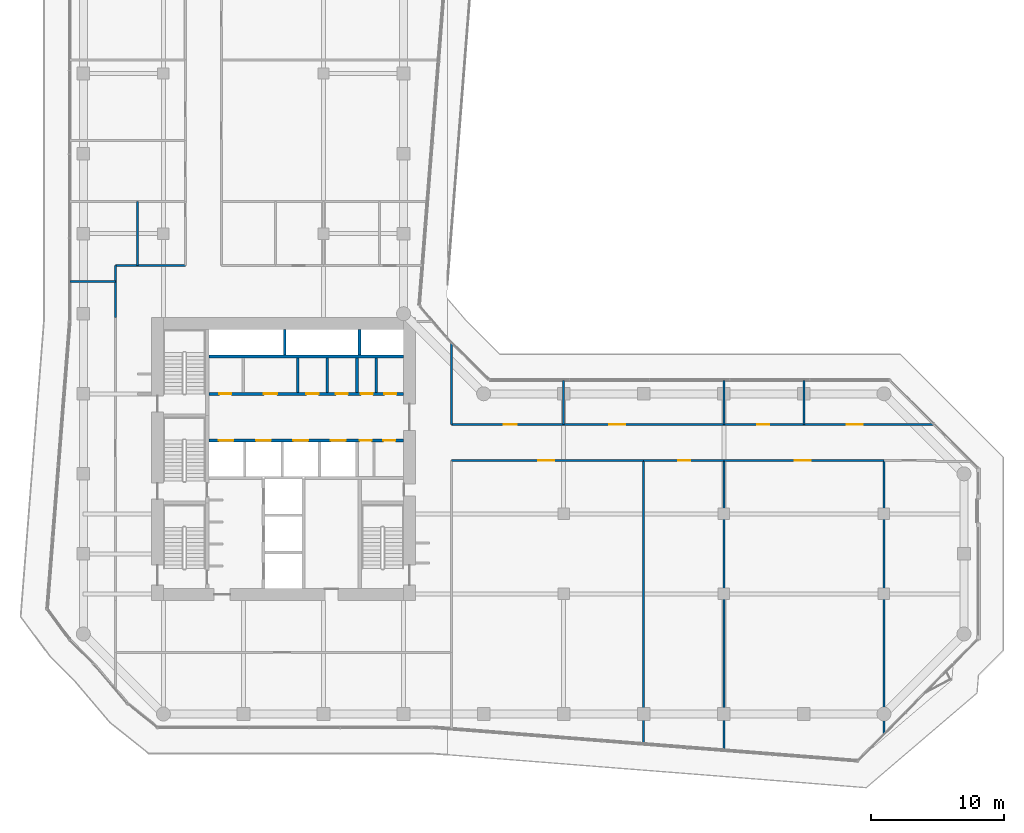
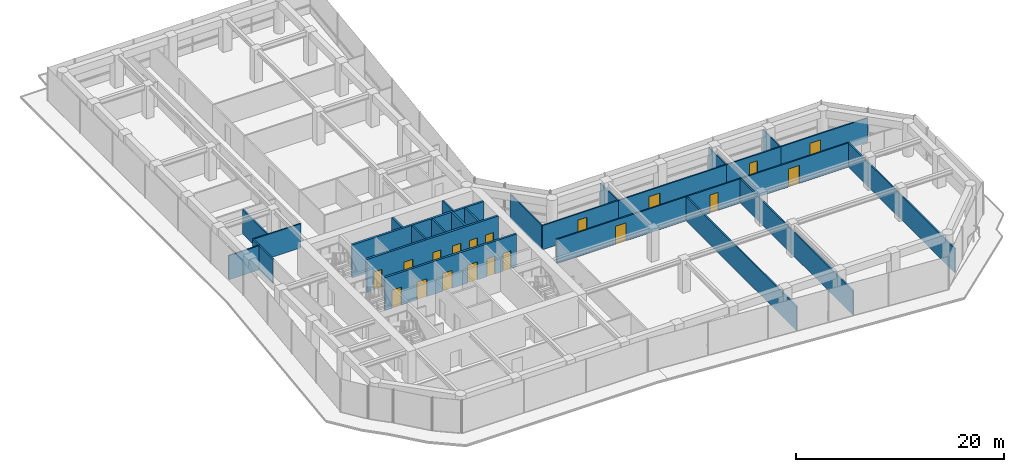
# One storey, part 24 of 29: 27 walls, 19 doors, 19 openings.
"""IFC4 building model written with IfcOpenShell, lengths in metres."""

from ifc_helpers import new_model, si_unit, direction, frame, frame_2d, origin, place, context, subcontext, project, spatial, rectangle, extrude, material, layer, layer_set, type_object, element, fill, save


model = new_model("IFC4")

# Units and contexts
model_context = context("Model", 3, precision=1e-05, world=origin(), true_north=direction((0.0, 1.0)))
body_context = subcontext(model_context, "Body", "Model", "MODEL_VIEW")
ifc_project = project(units=[si_unit("LENGTHUNIT", "METRE"), si_unit("AREAUNIT", "SQUARE_METRE"), si_unit("VOLUMEUNIT", "CUBIC_METRE"), si_unit("PLANEANGLEUNIT", "RADIAN"), si_unit("MASSUNIT", "GRAM", prefix="KILO")], contexts=[model_context])

# Site, building, storey
site_placement = place(None, origin())
site = spatial("IfcSite", under=ifc_project, at=site_placement, CompositionType="ELEMENT")
building_placement = place(site_placement, origin())
building = spatial("IfcBuilding", under=site, at=building_placement, Name="Welwitschia Terrace Campus", CompositionType="ELEMENT")
storey_placement = place(building_placement, frame((0.0, 0.0, 33.199951171875)))
storey = spatial("IfcBuildingStorey", under=building, at=storey_placement, Name="L07", CompositionType="ELEMENT", Elevation=33.199951171875)

# Walls
ifc_material_1 = material(Name="Concrete C32/40", Category="concrete")
ifc_layer_1 = layer(ifc_material_1, 0.175048828125)
ifc_layer_set_1 = layer_set([ifc_layer_1], Name="Concrete C32/40")
wall_type_1 = type_object("IfcWallType", Name="Core partition 175 Concrete C32/40", PredefinedType="PARTITIONING", material=ifc_layer_set_1)
for number, where, z_axis, x_axis, name in (
    (1, (16.074951171875, 20.10009765625, 0.0), (0.0, 0.0, 1.0), (0.0, 1.0, 0.0), "Core partition"),
    (2, (18.27490234375, 20.10009765625, 0.0), (0.0, 0.0, 1.0), (0.0, 1.0, 0.0), "Core partition"),
    (3, (21.9599609375, 20.10009765625, 0.0), (0.0, 0.0, 1.0), (0.0, 1.0, 0.0), "Core partition"),
):
    element("IfcWall", number, at=place(storey_placement, frame(where, z_axis=z_axis, x_axis=x_axis)), inside=storey, type_object=wall_type_1, Name=name, PredefinedType="PARTITIONING", context=body_context, shape_type="SweptSolid", body=[
        extrude(rectangle(XDim=2.599853515625, YDim=0.175048828125, at=frame_2d((1.2998046875, 0.0))), origin(), (0.0, 0.0, 1.0), 3.85009765625),
    ])

# Wall, openings, doors
ifc_material_2 = material(Name="Concrete C32/40", Category="concrete")
ifc_layer_2 = layer(ifc_material_2, 0.22509765625)
ifc_layer_set_2 = layer_set([ifc_layer_2], Name="Concrete C32/40")
wall_type_2 = type_object("IfcWallType", Name="Core partition 225 Concrete C32/40", PredefinedType="PARTITIONING", material=ifc_layer_set_2)
wall_1_placement = place(storey_placement, frame((9.39990234375, 16.5, 0.0), z_axis=(0.0, 0.0, 1.0), x_axis=(1.0, 0.0, 0.0)))
wall_1 = element("IfcWall", 4, at=wall_1_placement, inside=storey, type_object=wall_type_2, Name="Shaft wall", PredefinedType="PARTITIONING", context=body_context, shape_type="SweptSolid", body=[
    extrude(rectangle(XDim=14.60009765625, YDim=0.22509765625, at=frame_2d((7.300048828125, 0.0))), origin(), (0.0, 0.0, 1.0), 3.85009765625),
])
opening_1_placement = place(wall_1_placement, frame((0.75, 0.0, 0.0)))
opening_1 = element("IfcOpeningElement", 5, at=opening_1_placement, cuts=wall_1, Name="Opening LD", PredefinedType="OPENING", context=body_context, shape_type="SweptSolid", body=[
    extrude(rectangle(XDim=1.10009765625, YDim=2.10009765625, at=frame_2d((0.550048828125, 1.050048828125))), frame((0.0, 0.12255859375, 0.0), z_axis=(0.0, -1.0, 0.0), x_axis=(1.0, 0.0, 0.0)), (0.0, 0.0, 1.0), 0.2451171875),
])
opening_2_placement = place(wall_1_placement, frame((3.550048828125, 0.0, 0.0)))
opening_2 = element("IfcOpeningElement", 6, at=opening_2_placement, cuts=wall_1, Name="Opening LD", PredefinedType="OPENING", context=body_context, shape_type="SweptSolid", body=[
    extrude(rectangle(XDim=1.10009765625, YDim=2.10009765625, at=frame_2d((0.550048828125, 1.050048828125))), frame((0.0, 0.12255859375, 0.0), z_axis=(0.0, -1.0, 0.0), x_axis=(1.0, 0.0, 0.0)), (0.0, 0.0, 1.0), 0.2451171875),
])
opening_3_placement = place(wall_1_placement, frame((6.35009765625, 0.0, 0.0)))
opening_3 = element("IfcOpeningElement", 7, at=opening_3_placement, cuts=wall_1, Name="Opening LD", PredefinedType="OPENING", context=body_context, shape_type="SweptSolid", body=[
    extrude(rectangle(XDim=1.10009765625, YDim=2.10009765625, at=frame_2d((0.550048828125, 1.050048828125))), frame((0.0, 0.12255859375, 0.0), z_axis=(0.0, -1.0, 0.0), x_axis=(1.0, 0.0, 0.0)), (0.0, 0.0, 1.0), 0.2451171875),
])
opening_4_placement = place(wall_1_placement, frame((9.14990234375, 0.0, 0.0)))
opening_4 = element("IfcOpeningElement", 8, at=opening_4_placement, cuts=wall_1, Name="Opening LD", PredefinedType="OPENING", context=body_context, shape_type="SweptSolid", body=[
    extrude(rectangle(XDim=1.10009765625, YDim=2.10009765625, at=frame_2d((0.550048828125, 1.050048828125))), frame((0.0, 0.12255859375, 0.0), z_axis=(0.0, -1.0, 0.0), x_axis=(1.0, 0.0, 0.0)), (0.0, 0.0, 1.0), 0.2451171875),
])
opening_5_placement = place(wall_1_placement, frame((11.3076171875, 0.0, 0.0)))
opening_5 = element("IfcOpeningElement", 9, at=opening_5_placement, cuts=wall_1, Name="Opening DR09", PredefinedType="OPENING", context=body_context, shape_type="SweptSolid", body=[
    extrude(rectangle(XDim=0.89990234375, YDim=2.10009765625, at=frame_2d((0.449951171875, 1.050048828125))), frame((0.0, 0.12255859375, 0.0), z_axis=(0.0, -1.0, 0.0), x_axis=(1.0, 0.0, 0.0)), (0.0, 0.0, 1.0), 0.2451171875),
])
opening_6_placement = place(wall_1_placement, frame((13.08251953125, 0.0, 0.0)))
opening_6 = element("IfcOpeningElement", 10, at=opening_6_placement, cuts=wall_1, Name="Opening DR09", PredefinedType="OPENING", context=body_context, shape_type="SweptSolid", body=[
    extrude(rectangle(XDim=0.89990234375, YDim=2.10009765625, at=frame_2d((0.449951171875, 1.050048828125))), frame((0.0, 0.12255859375, 0.0), z_axis=(0.0, -1.0, 0.0), x_axis=(1.0, 0.0, 0.0)), (0.0, 0.0, 1.0), 0.2451171875),
])
ifc_material_3 = material(Name="Steel S275", Category="steel")
door_type_1 = type_object("IfcDoorType", Name="Core door DR09", OperationType="SINGLE_SWING_LEFT", PredefinedType="DOOR", material=ifc_material_3)
door_1_placement = place(opening_5_placement, origin())
door_1 = element("IfcDoor", 11, at=door_1_placement, inside=storey, type_object=door_type_1, Name="Door EL1-D", OperationType="SINGLE_SWING_RIGHT", OverallHeight=2.10009765625, OverallWidth=0.89990234375, PredefinedType="DOOR", context=body_context, shape_type="SweptSolid", body=[
    extrude(rectangle(XDim=0.89990234375, YDim=2.10009765625, at=frame_2d((0.449951171875, 1.050048828125))), frame((0.0, 0.02490234375, 0.0), z_axis=(0.0, -1.0, 0.0), x_axis=(1.0, 0.0, 0.0)), (0.0, 0.0, 1.0), 0.050048828125),
])
fill(opening_5, door_1)
door_2_placement = place(opening_6_placement, origin())
door_2 = element("IfcDoor", 12, at=door_2_placement, inside=storey, type_object=door_type_1, Name="Door EL2-D", OperationType="SINGLE_SWING_RIGHT", OverallHeight=2.10009765625, OverallWidth=0.89990234375, PredefinedType="DOOR", context=body_context, shape_type="SweptSolid", body=[
    extrude(rectangle(XDim=0.89990234375, YDim=2.10009765625, at=frame_2d((0.449951171875, 1.050048828125))), frame((0.0, 0.02490234375, 0.0), z_axis=(0.0, -1.0, 0.0), x_axis=(1.0, 0.0, 0.0)), (0.0, 0.0, 1.0), 0.050048828125),
])
fill(opening_6, door_2)
ifc_material_4 = material(Name="Stainless steel 304", Category="steel")
door_type_2 = type_object("IfcDoorType", Name="Lift landing door", OperationType="DOUBLE_DOOR_SLIDING", PredefinedType="DOOR", material=ifc_material_4)
door_3_placement = place(opening_1_placement, origin())
door_3 = element("IfcDoor", 13, at=door_3_placement, inside=storey, type_object=door_type_2, Name="Landing door LR1", OperationType="DOUBLE_DOOR_SLIDING", OverallHeight=2.10009765625, OverallWidth=1.10009765625, PredefinedType="DOOR", context=body_context, shape_type="SweptSolid", body=[
    extrude(rectangle(XDim=1.10009765625, YDim=2.10009765625, at=frame_2d((0.550048828125, 1.050048828125))), frame((0.0, 0.02490234375, 0.0), z_axis=(0.0, -1.0, 0.0), x_axis=(1.0, 0.0, 0.0)), (0.0, 0.0, 1.0), 0.050048828125),
])
fill(opening_1, door_3)
door_4_placement = place(opening_2_placement, origin())
door_4 = element("IfcDoor", 14, at=door_4_placement, inside=storey, type_object=door_type_2, Name="Landing door LR2", OperationType="DOUBLE_DOOR_SLIDING", OverallHeight=2.10009765625, OverallWidth=1.10009765625, PredefinedType="DOOR", context=body_context, shape_type="SweptSolid", body=[
    extrude(rectangle(XDim=1.10009765625, YDim=2.10009765625, at=frame_2d((0.550048828125, 1.050048828125))), frame((0.0, 0.02490234375, 0.0), z_axis=(0.0, -1.0, 0.0), x_axis=(1.0, 0.0, 0.0)), (0.0, 0.0, 1.0), 0.050048828125),
])
fill(opening_2, door_4)
door_5_placement = place(opening_3_placement, origin())
door_5 = element("IfcDoor", 15, at=door_5_placement, inside=storey, type_object=door_type_2, Name="Landing door LR3", OperationType="DOUBLE_DOOR_SLIDING", OverallHeight=2.10009765625, OverallWidth=1.10009765625, PredefinedType="DOOR", context=body_context, shape_type="SweptSolid", body=[
    extrude(rectangle(XDim=1.10009765625, YDim=2.10009765625, at=frame_2d((0.550048828125, 1.050048828125))), frame((0.0, 0.02490234375, 0.0), z_axis=(0.0, -1.0, 0.0), x_axis=(1.0, 0.0, 0.0)), (0.0, 0.0, 1.0), 0.050048828125),
])
fill(opening_3, door_5)
door_6_placement = place(opening_4_placement, origin())
door_6 = element("IfcDoor", 16, at=door_6_placement, inside=storey, type_object=door_type_2, Name="Landing door LR4", OperationType="DOUBLE_DOOR_SLIDING", OverallHeight=2.10009765625, OverallWidth=1.10009765625, PredefinedType="DOOR", context=body_context, shape_type="SweptSolid", body=[
    extrude(rectangle(XDim=1.10009765625, YDim=2.10009765625, at=frame_2d((0.550048828125, 1.050048828125))), frame((0.0, 0.02490234375, 0.0), z_axis=(0.0, -1.0, 0.0), x_axis=(1.0, 0.0, 0.0)), (0.0, 0.0, 1.0), 0.050048828125),
])
fill(opening_4, door_6)

wall_2_placement = place(storey_placement, frame((24.0, 20.0, 0.0), z_axis=(0.0, 0.0, 1.0), x_axis=(-1.0, 0.0, 0.0)))
wall_2 = element("IfcWall", 17, at=wall_2_placement, inside=storey, type_object=wall_type_2, Name="Core partition", PredefinedType="PARTITIONING", context=body_context, shape_type="SweptSolid", body=[
    extrude(rectangle(XDim=14.60009765625, YDim=0.22509765625, at=frame_2d((7.300048828125, 0.0))), origin(), (0.0, 0.0, 1.0), 3.85009765625),
])
opening_7_placement = place(wall_2_placement, frame((12.89990234375, 0.0, 0.0)))
opening_7 = element("IfcOpeningElement", 18, at=opening_7_placement, cuts=wall_2, Name="Opening DR09", PredefinedType="OPENING", context=body_context, shape_type="SweptSolid", body=[
    extrude(rectangle(XDim=0.89990234375, YDim=2.10009765625, at=frame_2d((0.449951171875, 1.050048828125))), frame((0.0, 0.12255859375, 0.0), z_axis=(0.0, -1.0, 0.0), x_axis=(1.0, 0.0, 0.0)), (0.0, 0.0, 1.0), 0.2451171875),
])
opening_8_placement = place(wall_2_placement, frame((9.47509765625, 0.0, 0.0)))
opening_8 = element("IfcOpeningElement", 19, at=opening_8_placement, cuts=wall_2, Name="Opening DR10", PredefinedType="OPENING", context=body_context, shape_type="SweptSolid", body=[
    extrude(rectangle(XDim=1.0, YDim=2.10009765625, at=frame_2d((0.5, 1.050048828125))), frame((0.0, 0.12255859375, 0.0), z_axis=(0.0, -1.0, 0.0), x_axis=(1.0, 0.0, 0.0)), (0.0, 0.0, 1.0), 0.2451171875),
])
opening_9_placement = place(wall_2_placement, frame((6.375, 0.0, 0.0)))
opening_9 = element("IfcOpeningElement", 20, at=opening_9_placement, cuts=wall_2, Name="Opening DR09", PredefinedType="OPENING", context=body_context, shape_type="SweptSolid", body=[
    extrude(rectangle(XDim=0.89990234375, YDim=2.10009765625, at=frame_2d((0.449951171875, 1.050048828125))), frame((0.0, 0.12255859375, 0.0), z_axis=(0.0, -1.0, 0.0), x_axis=(1.0, 0.0, 0.0)), (0.0, 0.0, 1.0), 0.2451171875),
])
opening_10_placement = place(wall_2_placement, frame((4.175048828125, 0.0, 0.0)))
opening_10 = element("IfcOpeningElement", 21, at=opening_10_placement, cuts=wall_2, Name="Opening DR09", PredefinedType="OPENING", context=body_context, shape_type="SweptSolid", body=[
    extrude(rectangle(XDim=0.89990234375, YDim=2.10009765625, at=frame_2d((0.449951171875, 1.050048828125))), frame((0.0, 0.12255859375, 0.0), z_axis=(0.0, -1.0, 0.0), x_axis=(1.0, 0.0, 0.0)), (0.0, 0.0, 1.0), 0.2451171875),
])
opening_11_placement = place(wall_2_placement, frame((2.3076171875, 0.0, 0.0)))
opening_11 = element("IfcOpeningElement", 22, at=opening_11_placement, cuts=wall_2, Name="Opening DR09", PredefinedType="OPENING", context=body_context, shape_type="SweptSolid", body=[
    extrude(rectangle(XDim=0.89990234375, YDim=2.10009765625, at=frame_2d((0.449951171875, 1.050048828125))), frame((0.0, 0.12255859375, 0.0), z_axis=(0.0, -1.0, 0.0), x_axis=(1.0, 0.0, 0.0)), (0.0, 0.0, 1.0), 0.2451171875),
])
opening_12_placement = place(wall_2_placement, frame((0.532470703125, 0.0, 0.0)))
opening_12 = element("IfcOpeningElement", 23, at=opening_12_placement, cuts=wall_2, Name="Opening DR09", PredefinedType="OPENING", context=body_context, shape_type="SweptSolid", body=[
    extrude(rectangle(XDim=0.89990234375, YDim=2.10009765625, at=frame_2d((0.449951171875, 1.050048828125))), frame((0.0, 0.12255859375, 0.0), z_axis=(0.0, -1.0, 0.0), x_axis=(1.0, 0.0, 0.0)), (0.0, 0.0, 1.0), 0.2451171875),
])
door_7_placement = place(opening_7_placement, origin())
door_7 = element("IfcDoor", 24, at=door_7_placement, inside=storey, type_object=door_type_1, Name="Door BAYH1-D", OperationType="SINGLE_SWING_RIGHT", OverallHeight=2.10009765625, OverallWidth=0.89990234375, PredefinedType="DOOR", context=body_context, shape_type="SweptSolid", body=[
    extrude(rectangle(XDim=0.89990234375, YDim=2.10009765625, at=frame_2d((0.449951171875, 1.050048828125))), frame((0.0, 0.02490234375, 0.0), z_axis=(0.0, -1.0, 0.0), x_axis=(1.0, 0.0, 0.0)), (0.0, 0.0, 1.0), 0.050048828125),
])
fill(opening_7, door_7)
door_8_placement = place(opening_9_placement, origin())
door_8 = element("IfcDoor", 25, at=door_8_placement, inside=storey, type_object=door_type_1, Name="Door BAYH3-D", OperationType="SINGLE_SWING_LEFT", OverallHeight=2.10009765625, OverallWidth=0.89990234375, PredefinedType="DOOR", context=body_context, shape_type="SweptSolid", body=[
    extrude(rectangle(XDim=0.89990234375, YDim=2.10009765625, at=frame_2d((0.449951171875, 1.050048828125))), frame((0.0, 0.02490234375, 0.0), z_axis=(0.0, -1.0, 0.0), x_axis=(1.0, 0.0, 0.0)), (0.0, 0.0, 1.0), 0.050048828125),
])
fill(opening_9, door_8)
door_9_placement = place(opening_10_placement, origin())
door_9 = element("IfcDoor", 26, at=door_9_placement, inside=storey, type_object=door_type_1, Name="Door BAYH4-D", OperationType="SINGLE_SWING_LEFT", OverallHeight=2.10009765625, OverallWidth=0.89990234375, PredefinedType="DOOR", context=body_context, shape_type="SweptSolid", body=[
    extrude(rectangle(XDim=0.89990234375, YDim=2.10009765625, at=frame_2d((0.449951171875, 1.050048828125))), frame((0.0, 0.02490234375, 0.0), z_axis=(0.0, -1.0, 0.0), x_axis=(1.0, 0.0, 0.0)), (0.0, 0.0, 1.0), 0.050048828125),
])
fill(opening_10, door_9)
door_10_placement = place(opening_11_placement, origin())
door_10 = element("IfcDoor", 27, at=door_10_placement, inside=storey, type_object=door_type_1, Name="Door EH1-D", OperationType="SINGLE_SWING_LEFT", OverallHeight=2.10009765625, OverallWidth=0.89990234375, PredefinedType="DOOR", context=body_context, shape_type="SweptSolid", body=[
    extrude(rectangle(XDim=0.89990234375, YDim=2.10009765625, at=frame_2d((0.449951171875, 1.050048828125))), frame((0.0, 0.02490234375, 0.0), z_axis=(0.0, -1.0, 0.0), x_axis=(1.0, 0.0, 0.0)), (0.0, 0.0, 1.0), 0.050048828125),
])
fill(opening_11, door_10)
door_11_placement = place(opening_12_placement, origin())
door_11 = element("IfcDoor", 28, at=door_11_placement, inside=storey, type_object=door_type_1, Name="Door EH2-D", OperationType="SINGLE_SWING_LEFT", OverallHeight=2.10009765625, OverallWidth=0.89990234375, PredefinedType="DOOR", context=body_context, shape_type="SweptSolid", body=[
    extrude(rectangle(XDim=0.89990234375, YDim=2.10009765625, at=frame_2d((0.449951171875, 1.050048828125))), frame((0.0, 0.02490234375, 0.0), z_axis=(0.0, -1.0, 0.0), x_axis=(1.0, 0.0, 0.0)), (0.0, 0.0, 1.0), 0.050048828125),
])
fill(opening_12, door_11)
ifc_material_5 = material(Name="Steel S275", Category="steel")
door_type_3 = type_object("IfcDoorType", Name="Core door DR10", OperationType="SINGLE_SWING_LEFT", PredefinedType="DOOR", material=ifc_material_5)
door_12_placement = place(opening_8_placement, origin())
door_12 = element("IfcDoor", 29, at=door_12_placement, inside=storey, type_object=door_type_3, Name="Door BAYH2-D", OperationType="SINGLE_SWING_RIGHT", OverallHeight=2.10009765625, OverallWidth=1.0, PredefinedType="DOOR", context=body_context, shape_type="SweptSolid", body=[
    extrude(rectangle(XDim=1.0, YDim=2.10009765625, at=frame_2d((0.5, 1.050048828125))), frame((0.0, 0.02490234375, 0.0), z_axis=(0.0, -1.0, 0.0), x_axis=(1.0, 0.0, 0.0)), (0.0, 0.0, 1.0), 0.050048828125),
])
fill(opening_8, door_12)

# Walls
wall_3_placement = place(storey_placement, frame((9.39990234375, 22.800048828125, 0.0), z_axis=(0.0, 0.0, 1.0), x_axis=(1.0, 0.0, 0.0)))
element("IfcWall", 30, at=wall_3_placement, inside=storey, type_object=wall_type_2, Name="Shaft wall", PredefinedType="PARTITIONING", context=body_context, shape_type="SweptSolid", body=[
    extrude(rectangle(XDim=14.60009765625, YDim=0.22509765625, at=frame_2d((7.300048828125, 0.0))), origin(), (0.0, 0.0, 1.0), 3.85009765625),
])
wall_4_placement = place(storey_placement, frame((20.5, 20.10009765625, 0.0), z_axis=(0.0, 0.0, 1.0), x_axis=(0.0, 1.0, 0.0)))
element("IfcWall", 31, at=wall_4_placement, inside=storey, type_object=wall_type_2, Name="Core partition", PredefinedType="PARTITIONING", context=body_context, shape_type="SweptSolid", body=[
    extrude(rectangle(XDim=2.599853515625, YDim=0.22509765625, at=frame_2d((1.2998046875, 0.0))), origin(), (0.0, 0.0, 1.0), 3.85009765625),
])
ifc_material_6 = material(Name="Concrete C50/60", Category="concrete")
ifc_layer_3 = layer(ifc_material_6, 0.199951171875)
ifc_layer_set_3 = layer_set([ifc_layer_3], Name="Concrete C50/60")
wall_type_3 = type_object("IfcWallType", Name="Core wall 200 Concrete C50/60", PredefinedType="SHEAR", material=ifc_layer_set_3)
for number, where, z_axis, x_axis, name in (
    (32, (15.10009765625, 22.89990234375, 0.0), (0.0, 0.0, 1.0), (0.0, 1.0, 0.0), "Core wall"),
    (33, (20.699951171875, 22.89990234375, 0.0), (0.0, 0.0, 1.0), (0.0, 1.0, 0.0), "Core wall"),
):
    element("IfcWall", number, at=place(storey_placement, frame(where, z_axis=z_axis, x_axis=x_axis)), inside=storey, type_object=wall_type_3, Name=name, PredefinedType="SHEAR", context=body_context, shape_type="SweptSolid", body=[
        extrude(rectangle(XDim=1.900146484375, YDim=0.199951171875, at=frame_2d((0.9501953125, 0.0))), origin(), (0.0, 0.0, 1.0), 3.85009765625),
    ])
ifc_material_7 = material(Name="Gypsum board on steel studs", Category="steel")
ifc_layer_4 = layer(ifc_material_7, 0.14990234375)
ifc_layer_set_4 = layer_set([ifc_layer_4], Name="Gypsum board on steel studs")
wall_type_4 = type_object("IfcWallType", Name="Corridor partition 150 EI 30", PredefinedType="PARTITIONING", material=ifc_layer_set_4)
wall_5_placement = place(storey_placement, frame((-1.010009765625, 28.39990234375, 0.0), z_axis=(0.0, 0.0, 1.0), x_axis=(1.0, 0.0, 0.0)))
element("IfcWall", 34, at=wall_5_placement, inside=storey, type_object=wall_type_4, Name="Partition", PredefinedType="PARTITIONING", context=body_context, shape_type="SweptSolid", body=[
    extrude(rectangle(XDim=3.409912109375, YDim=0.14990234375, at=frame_2d((1.705078125, 0.0))), origin(), (0.0, 0.0, 1.0), 2.830078125),
])
wall_6_placement = place(storey_placement, frame((2.39990234375, 25.699951171875, 0.0), z_axis=(0.0, 0.0, 1.0), x_axis=(0.0, 1.0, 0.0)))
element("IfcWall", 35, at=wall_6_placement, inside=storey, type_object=wall_type_4, Name="Partition", PredefinedType="PARTITIONING", context=body_context, shape_type="SweptSolid", body=[
    extrude(rectangle(XDim=3.900146484375, YDim=0.14990234375, at=frame_2d((1.9501953125, 0.0))), origin(), (0.0, 0.0, 1.0), 2.830078125),
])
wall_7_placement = place(storey_placement, frame((2.39990234375, 29.60009765625, 0.0), z_axis=(0.0, 0.0, 1.0), x_axis=(1.0, 0.0, 0.0)))
element("IfcWall", 36, at=wall_7_placement, inside=storey, type_object=wall_type_4, Name="Partition", PredefinedType="PARTITIONING", context=body_context, shape_type="SweptSolid", body=[
    extrude(rectangle(XDim=5.25, YDim=0.14990234375, at=frame_2d((2.625, 0.0))), origin(), (0.0, 0.0, 1.0), 2.830078125),
])
wall_8_placement = place(storey_placement, frame((4.050048828125, 29.60009765625, 0.0), z_axis=(0.0, 0.0, 1.0), x_axis=(0.0, 1.0, 0.0)))
element("IfcWall", 37, at=wall_8_placement, inside=storey, type_object=wall_type_4, Name="Partition", PredefinedType="PARTITIONING", context=body_context, shape_type="SweptSolid", body=[
    extrude(rectangle(XDim=4.7998046875, YDim=0.14990234375, at=frame_2d((2.39990234375, 0.0))), origin(), (0.0, 0.0, 1.0), 2.830078125),
])
wall_9_placement = place(storey_placement, frame((27.60009765625, 17.699951171875, 0.0), z_axis=(0.0, 0.0, 1.0), x_axis=(0.0, 1.0, 0.0)))
element("IfcWall", 38, at=wall_9_placement, inside=storey, type_object=wall_type_4, Name="Partition", PredefinedType="PARTITIONING", context=body_context, shape_type="SweptSolid", body=[
    extrude(rectangle(XDim=6.1201171875, YDim=0.14990234375, at=frame_2d((3.06005859375, 0.0))), origin(), (0.0, 0.0, 1.0), 2.830078125),
])

# Wall, opening, door
wall_10_placement = place(storey_placement, frame((27.60009765625, 17.699951171875, 0.0), z_axis=(0.0, 0.0, 1.0), x_axis=(1.0, 0.0, 0.0)))
wall_10 = element("IfcWall", 39, at=wall_10_placement, inside=storey, type_object=wall_type_4, Name="Partition", PredefinedType="PARTITIONING", context=body_context, shape_type="SweptSolid", body=[
    extrude(rectangle(XDim=8.39990234375, YDim=0.14990234375, at=frame_2d((4.199951171875, 0.0))), origin(), (0.0, 0.0, 1.0), 2.830078125),
])
opening_13_placement = place(wall_10_placement, frame((3.89990234375, 0.0, 0.0)))
opening_13 = element("IfcOpeningElement", 40, at=opening_13_placement, cuts=wall_10, Name="Opening DI10", PredefinedType="OPENING", context=body_context, shape_type="SweptSolid", body=[
    extrude(rectangle(XDim=1.0, YDim=2.10009765625, at=frame_2d((0.5, 1.050048828125))), frame((0.0, 0.0849609375, 0.0), z_axis=(0.0, -1.0, 0.0), x_axis=(1.0, 0.0, 0.0)), (0.0, 0.0, 1.0), 0.169921875),
])
ifc_material_8 = material(Name="Timber veneered door", Category="wood")
door_type_4 = type_object("IfcDoorType", Name="Interior door DI10", OperationType="NOTDEFINED", PredefinedType="DOOR", material=ifc_material_8)
door_13_placement = place(opening_13_placement, origin())
door_13 = element("IfcDoor", 41, at=door_13_placement, inside=storey, type_object=door_type_4, Name="Door L07 180", OperationType="SINGLE_SWING_LEFT", OverallHeight=2.10009765625, OverallWidth=1.0, PredefinedType="DOOR", context=body_context, shape_type="SweptSolid", body=[
    extrude(rectangle(XDim=1.0, YDim=2.10009765625, at=frame_2d((0.5, 1.050048828125))), frame((0.0, 0.02490234375, 0.0), z_axis=(0.0, -1.0, 0.0), x_axis=(1.0, 0.0, 0.0)), (0.0, 0.0, 1.0), 0.050048828125),
])
fill(opening_13, door_13)

# Wall
wall_11_placement = place(storey_placement, frame((36.0, 17.699951171875, 0.0), z_axis=(0.0, 0.0, 1.0), x_axis=(0.0, 1.0, 0.0)))
element("IfcWall", 42, at=wall_11_placement, inside=storey, type_object=wall_type_4, Name="Partition", PredefinedType="PARTITIONING", context=body_context, shape_type="SweptSolid", body=[
    extrude(rectangle(XDim=3.31005859375, YDim=0.14990234375, at=frame_2d((1.655029296875, 0.0))), origin(), (0.0, 0.0, 1.0), 2.830078125),
])

# Wall, opening, door
wall_12_placement = place(storey_placement, frame((36.0, 17.699951171875, 0.0), z_axis=(0.0, 0.0, 1.0), x_axis=(1.0, 0.0, 0.0)))
wall_12 = element("IfcWall", 43, at=wall_12_placement, inside=storey, type_object=wall_type_4, Name="Partition", PredefinedType="PARTITIONING", context=body_context, shape_type="SweptSolid", body=[
    extrude(rectangle(XDim=12.0, YDim=0.14990234375, at=frame_2d((6.0, 0.0))), origin(), (0.0, 0.0, 1.0), 2.830078125),
])
opening_14_placement = place(wall_12_placement, frame((3.39990234375, 0.0, 0.0)))
opening_14 = element("IfcOpeningElement", 44, at=opening_14_placement, cuts=wall_12, Name="Opening DI12", PredefinedType="OPENING", context=body_context, shape_type="SweptSolid", body=[
    extrude(rectangle(XDim=1.199951171875, YDim=2.10009765625, at=frame_2d((0.60009765625, 1.050048828125))), frame((0.0, 0.0849609375, 0.0), z_axis=(0.0, -1.0, 0.0), x_axis=(1.0, 0.0, 0.0)), (0.0, 0.0, 1.0), 0.169921875),
])
ifc_material_9 = material(Name="Timber veneered door", Category="wood")
door_type_5 = type_object("IfcDoorType", Name="Interior door DI12", OperationType="NOTDEFINED", PredefinedType="DOOR", material=ifc_material_9)
door_14_placement = place(opening_14_placement, origin())
door_14 = element("IfcDoor", 45, at=door_14_placement, inside=storey, type_object=door_type_5, Name="Door L07 181", OperationType="SINGLE_SWING_RIGHT", OverallHeight=2.10009765625, OverallWidth=1.199951171875, PredefinedType="DOOR", context=body_context, shape_type="SweptSolid", body=[
    extrude(rectangle(XDim=1.199951171875, YDim=2.10009765625, at=frame_2d((0.60009765625, 1.050048828125))), frame((0.0, 0.02490234375, 0.0), z_axis=(0.0, -1.0, 0.0), x_axis=(1.0, 0.0, 0.0)), (0.0, 0.0, 1.0), 0.050048828125),
])
fill(opening_14, door_14)

# Wall
wall_13_placement = place(storey_placement, frame((42.0, -6.260009765625, 0.0), z_axis=(0.0, 0.0, 1.0), x_axis=(0.0, 1.0, 0.0)))
element("IfcWall", 46, at=wall_13_placement, inside=storey, type_object=wall_type_4, Name="Partition", PredefinedType="PARTITIONING", context=body_context, shape_type="SweptSolid", body=[
    extrude(rectangle(XDim=21.260009765625, YDim=0.14990234375, at=frame_2d((10.6298828125, 0.0))), origin(), (0.0, 0.0, 1.0), 2.830078125),
])

# Wall, opening, door
wall_14_placement = place(storey_placement, frame((42.0, 15.0, 0.0), z_axis=(0.0, 0.0, 1.0), x_axis=(-1.0, 0.0, 0.0)))
wall_14 = element("IfcWall", 47, at=wall_14_placement, inside=storey, type_object=wall_type_4, Name="Partition", PredefinedType="PARTITIONING", context=body_context, shape_type="SweptSolid", body=[
    extrude(rectangle(XDim=14.39990234375, YDim=0.14990234375, at=frame_2d((7.199951171875, 0.0))), origin(), (0.0, 0.0, 1.0), 2.830078125),
])
opening_15_placement = place(wall_14_placement, frame((6.699951171875, 0.0, 0.0)))
opening_15 = element("IfcOpeningElement", 48, at=opening_15_placement, cuts=wall_14, Name="Opening DI12", PredefinedType="OPENING", context=body_context, shape_type="SweptSolid", body=[
    extrude(rectangle(XDim=1.199951171875, YDim=2.10009765625, at=frame_2d((0.60009765625, 1.050048828125))), frame((0.0, 0.0849609375, 0.0), z_axis=(0.0, -1.0, 0.0), x_axis=(1.0, 0.0, 0.0)), (0.0, 0.0, 1.0), 0.169921875),
])
door_15_placement = place(opening_15_placement, origin())
door_15 = element("IfcDoor", 49, at=door_15_placement, inside=storey, type_object=door_type_5, Name="Door L07 182", OperationType="SINGLE_SWING_LEFT", OverallHeight=2.10009765625, OverallWidth=1.199951171875, PredefinedType="DOOR", context=body_context, shape_type="SweptSolid", body=[
    extrude(rectangle(XDim=1.199951171875, YDim=2.10009765625, at=frame_2d((0.60009765625, 1.050048828125))), frame((0.0, 0.02490234375, 0.0), z_axis=(0.0, -1.0, 0.0), x_axis=(1.0, 0.0, 0.0)), (0.0, 0.0, 1.0), 0.050048828125),
])
fill(opening_15, door_15)

# Wall
wall_15_placement = place(storey_placement, frame((48.0, -6.72998046875, 0.0), z_axis=(0.0, 0.0, 1.0), x_axis=(0.0, 1.0, 0.0)))
element("IfcWall", 50, at=wall_15_placement, inside=storey, type_object=wall_type_4, Name="Partition", PredefinedType="PARTITIONING", context=body_context, shape_type="SweptSolid", body=[
    extrude(rectangle(XDim=21.72998046875, YDim=0.14990234375, at=frame_2d((10.864990234375, 0.0))), origin(), (0.0, 0.0, 1.0), 2.830078125),
])

# Wall, opening, door
wall_16_placement = place(storey_placement, frame((48.0, 15.0, 0.0), z_axis=(0.0, 0.0, 1.0), x_axis=(-1.0, 0.0, 0.0)))
wall_16 = element("IfcWall", 51, at=wall_16_placement, inside=storey, type_object=wall_type_4, Name="Partition", PredefinedType="PARTITIONING", context=body_context, shape_type="SweptSolid", body=[
    extrude(rectangle(XDim=6.0, YDim=0.14990234375, at=frame_2d((3.0, 0.0))), origin(), (0.0, 0.0, 1.0), 2.830078125),
])
opening_16_placement = place(wall_16_placement, frame((2.5, 0.0, 0.0)))
opening_16 = element("IfcOpeningElement", 52, at=opening_16_placement, cuts=wall_16, Name="Opening DI09", PredefinedType="OPENING", context=body_context, shape_type="SweptSolid", body=[
    extrude(rectangle(XDim=0.89990234375, YDim=2.10009765625, at=frame_2d((0.449951171875, 1.050048828125))), frame((0.0, 0.0849609375, 0.0), z_axis=(0.0, -1.0, 0.0), x_axis=(1.0, 0.0, 0.0)), (0.0, 0.0, 1.0), 0.169921875),
])
ifc_material_10 = material(Name="Timber veneered door", Category="wood")
door_type_6 = type_object("IfcDoorType", Name="Interior door DI09", OperationType="NOTDEFINED", PredefinedType="DOOR", material=ifc_material_10)
door_16_placement = place(opening_16_placement, origin())
door_16 = element("IfcDoor", 53, at=door_16_placement, inside=storey, type_object=door_type_6, Name="Door L07 183", OperationType="SINGLE_SWING_RIGHT", OverallHeight=2.10009765625, OverallWidth=0.89990234375, PredefinedType="DOOR", context=body_context, shape_type="SweptSolid", body=[
    extrude(rectangle(XDim=0.89990234375, YDim=2.10009765625, at=frame_2d((0.449951171875, 1.050048828125))), frame((0.0, 0.02490234375, 0.0), z_axis=(0.0, -1.0, 0.0), x_axis=(1.0, 0.0, 0.0)), (0.0, 0.0, 1.0), 0.050048828125),
])
fill(opening_16, door_16)

# Wall
wall_17_placement = place(storey_placement, frame((48.0, 17.699951171875, 0.0), z_axis=(0.0, 0.0, 1.0), x_axis=(0.0, 1.0, 0.0)))
element("IfcWall", 54, at=wall_17_placement, inside=storey, type_object=wall_type_4, Name="Partition", PredefinedType="PARTITIONING", context=body_context, shape_type="SweptSolid", body=[
    extrude(rectangle(XDim=3.31005859375, YDim=0.14990234375, at=frame_2d((1.655029296875, 0.0))), origin(), (0.0, 0.0, 1.0), 2.830078125),
])

# Wall, opening, door
wall_18_placement = place(storey_placement, frame((48.0, 17.699951171875, 0.0), z_axis=(0.0, 0.0, 1.0), x_axis=(1.0, 0.0, 0.0)))
wall_18 = element("IfcWall", 55, at=wall_18_placement, inside=storey, type_object=wall_type_4, Name="Partition", PredefinedType="PARTITIONING", context=body_context, shape_type="SweptSolid", body=[
    extrude(rectangle(XDim=6.0, YDim=0.14990234375, at=frame_2d((3.0, 0.0))), origin(), (0.0, 0.0, 1.0), 2.830078125),
])
opening_17_placement = place(wall_18_placement, frame((2.5, 0.0, 0.0)))
opening_17 = element("IfcOpeningElement", 56, at=opening_17_placement, cuts=wall_18, Name="Opening DI09", PredefinedType="OPENING", context=body_context, shape_type="SweptSolid", body=[
    extrude(rectangle(XDim=0.89990234375, YDim=2.10009765625, at=frame_2d((0.449951171875, 1.050048828125))), frame((0.0, 0.0849609375, 0.0), z_axis=(0.0, -1.0, 0.0), x_axis=(1.0, 0.0, 0.0)), (0.0, 0.0, 1.0), 0.169921875),
])
door_17_placement = place(opening_17_placement, origin())
door_17 = element("IfcDoor", 57, at=door_17_placement, inside=storey, type_object=door_type_6, Name="Door L07 184", OperationType="SINGLE_SWING_LEFT", OverallHeight=2.10009765625, OverallWidth=0.89990234375, PredefinedType="DOOR", context=body_context, shape_type="SweptSolid", body=[
    extrude(rectangle(XDim=0.89990234375, YDim=2.10009765625, at=frame_2d((0.449951171875, 1.050048828125))), frame((0.0, 0.02490234375, 0.0), z_axis=(0.0, -1.0, 0.0), x_axis=(1.0, 0.0, 0.0)), (0.0, 0.0, 1.0), 0.050048828125),
])
fill(opening_17, door_17)

# Wall
wall_19_placement = place(storey_placement, frame((54.0, 17.699951171875, 0.0), z_axis=(0.0, 0.0, 1.0), x_axis=(0.0, 1.0, 0.0)))
element("IfcWall", 58, at=wall_19_placement, inside=storey, type_object=wall_type_4, Name="Partition", PredefinedType="PARTITIONING", context=body_context, shape_type="SweptSolid", body=[
    extrude(rectangle(XDim=3.31005859375, YDim=0.14990234375, at=frame_2d((1.655029296875, 0.0))), origin(), (0.0, 0.0, 1.0), 2.830078125),
])

# Wall, opening, door
wall_20_placement = place(storey_placement, frame((54.0, 17.699951171875, 0.0), z_axis=(0.0, 0.0, 1.0), x_axis=(1.0, 0.0, 0.0)))
wall_20 = element("IfcWall", 59, at=wall_20_placement, inside=storey, type_object=wall_type_4, Name="Partition", PredefinedType="PARTITIONING", context=body_context, shape_type="SweptSolid", body=[
    extrude(rectangle(XDim=9.68310546875, YDim=0.14990234375, at=frame_2d((4.841552734375, 0.0))), origin(), (0.0, 0.0, 1.0), 2.830078125),
])
opening_18_placement = place(wall_20_placement, frame((3.219970703125, 0.0, 0.0)))
opening_18 = element("IfcOpeningElement", 60, at=opening_18_placement, cuts=wall_20, Name="Opening DI12", PredefinedType="OPENING", context=body_context, shape_type="SweptSolid", body=[
    extrude(rectangle(XDim=1.199951171875, YDim=2.10009765625, at=frame_2d((0.60009765625, 1.050048828125))), frame((0.0, 0.0849609375, 0.0), z_axis=(0.0, -1.0, 0.0), x_axis=(1.0, 0.0, 0.0)), (0.0, 0.0, 1.0), 0.169921875),
])
door_18_placement = place(opening_18_placement, origin())
door_18 = element("IfcDoor", 61, at=door_18_placement, inside=storey, type_object=door_type_5, Name="Door L07 185", OperationType="SINGLE_SWING_RIGHT", OverallHeight=2.10009765625, OverallWidth=1.199951171875, PredefinedType="DOOR", context=body_context, shape_type="SweptSolid", body=[
    extrude(rectangle(XDim=1.199951171875, YDim=2.10009765625, at=frame_2d((0.60009765625, 1.050048828125))), frame((0.0, 0.02490234375, 0.0), z_axis=(0.0, -1.0, 0.0), x_axis=(1.0, 0.0, 0.0)), (0.0, 0.0, 1.0), 0.050048828125),
])
fill(opening_18, door_18)

# Wall
wall_21_placement = place(storey_placement, frame((60.0, -5.5, 0.0), z_axis=(0.0, 0.0, 1.0), x_axis=(0.0, 1.0, 0.0)))
element("IfcWall", 62, at=wall_21_placement, inside=storey, type_object=wall_type_4, Name="Partition", PredefinedType="PARTITIONING", context=body_context, shape_type="SweptSolid", body=[
    extrude(rectangle(XDim=20.5, YDim=0.14990234375, at=frame_2d((10.25, 0.0))), origin(), (0.0, 0.0, 1.0), 2.830078125),
])

# Wall, opening, door
wall_22_placement = place(storey_placement, frame((60.0, 15.0, 0.0), z_axis=(0.0, 0.0, 1.0), x_axis=(-1.0, 0.0, 0.0)))
wall_22 = element("IfcWall", 63, at=wall_22_placement, inside=storey, type_object=wall_type_4, Name="Partition", PredefinedType="PARTITIONING", context=body_context, shape_type="SweptSolid", body=[
    extrude(rectangle(XDim=12.0, YDim=0.14990234375, at=frame_2d((6.0, 0.0))), origin(), (0.0, 0.0, 1.0), 2.830078125),
])
opening_19_placement = place(wall_22_placement, frame((5.5, 0.0, 0.0)))
opening_19 = element("IfcOpeningElement", 64, at=opening_19_placement, cuts=wall_22, Name="Opening DI12", PredefinedType="OPENING", context=body_context, shape_type="SweptSolid", body=[
    extrude(rectangle(XDim=1.199951171875, YDim=2.10009765625, at=frame_2d((0.60009765625, 1.050048828125))), frame((0.0, 0.0849609375, 0.0), z_axis=(0.0, -1.0, 0.0), x_axis=(1.0, 0.0, 0.0)), (0.0, 0.0, 1.0), 0.169921875),
])
door_19_placement = place(opening_19_placement, origin())
door_19 = element("IfcDoor", 65, at=door_19_placement, inside=storey, type_object=door_type_5, Name="Door L07 186", OperationType="SINGLE_SWING_LEFT", OverallHeight=2.10009765625, OverallWidth=1.199951171875, PredefinedType="DOOR", context=body_context, shape_type="SweptSolid", body=[
    extrude(rectangle(XDim=1.199951171875, YDim=2.10009765625, at=frame_2d((0.60009765625, 1.050048828125))), frame((0.0, 0.02490234375, 0.0), z_axis=(0.0, -1.0, 0.0), x_axis=(1.0, 0.0, 0.0)), (0.0, 0.0, 1.0), 0.050048828125),
])
fill(opening_19, door_19)

save(model, "model.ifc")
